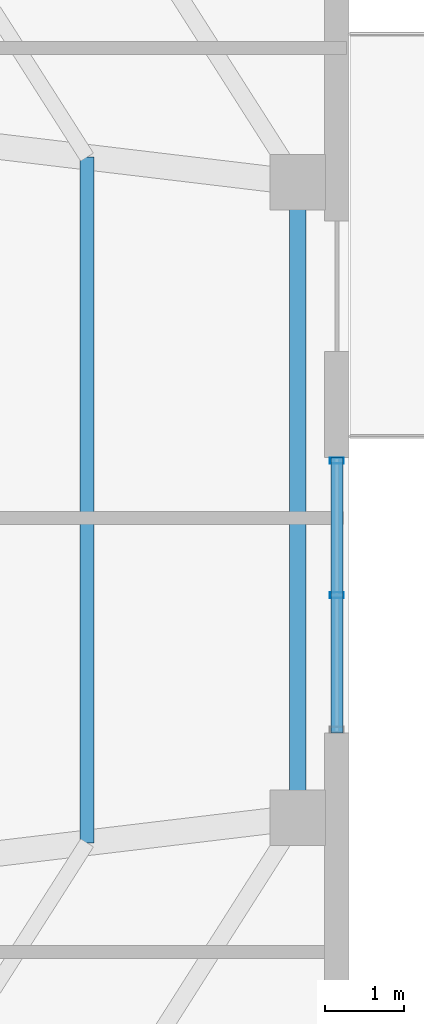
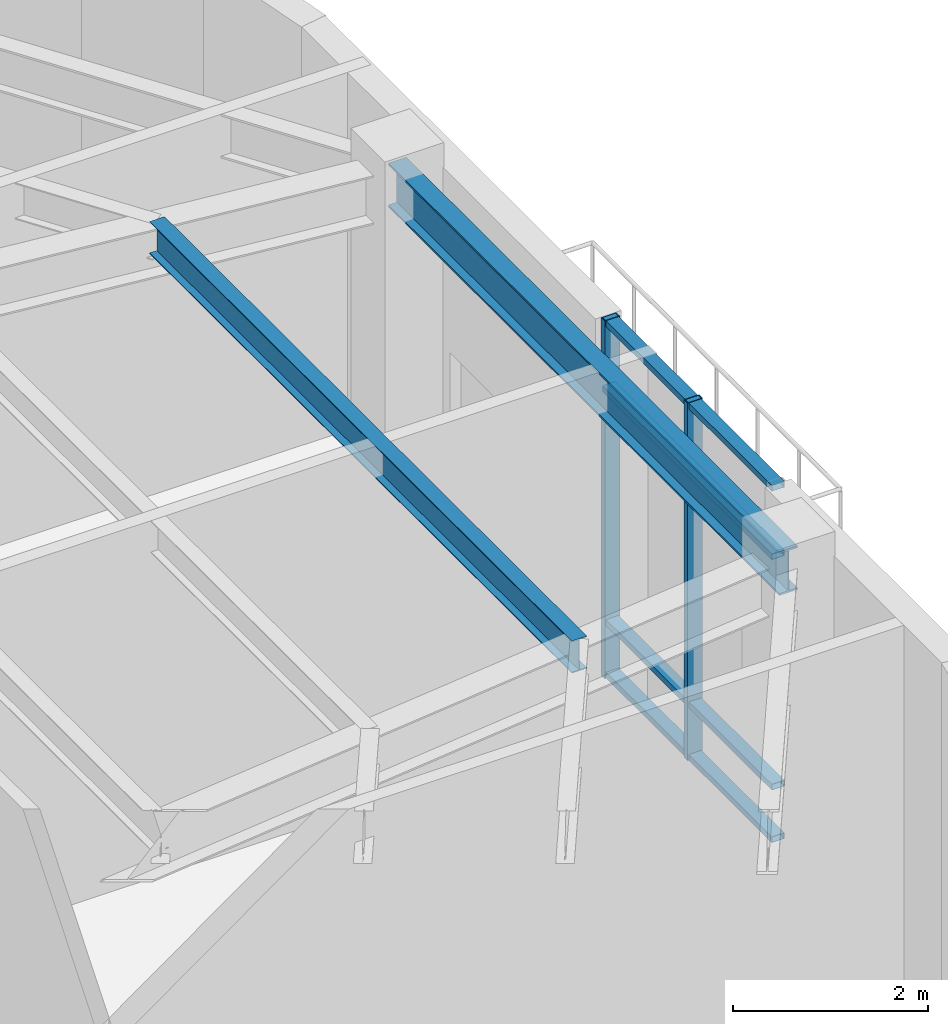
# One storey, part 10 of 19: 6 members, 2 beams, 1 element without a shape of its own.
"""IFC4 building model written with IfcOpenShell, lengths in metres."""

from ifc_helpers import new_model, si_unit, direction, frame, origin, origin_2d, place, context, subcontext, project, spatial, hollow_rectangle, i_section, extrude, material, layer, layer_set, material_profile, profile_set, type_object, element, aggregate, save


model = new_model("IFC4")

# Units and contexts
model_context = context("Model", 3, precision=1e-05, world=origin(), true_north=direction((0.0, 1.0)))
body_context = subcontext(model_context, "Body", "Model", "MODEL_VIEW")
ifc_project = project(units=[si_unit("LENGTHUNIT", "METRE"), si_unit("AREAUNIT", "SQUARE_METRE"), si_unit("VOLUMEUNIT", "CUBIC_METRE"), si_unit("PLANEANGLEUNIT", "RADIAN"), si_unit("MASSUNIT", "GRAM", prefix="KILO"), si_unit("THERMODYNAMICTEMPERATUREUNIT", "KELVIN"), si_unit("POWERUNIT", "WATT")], contexts=[model_context])

# Site, building, storey
site_placement = place(None, origin())
site = spatial("IfcSite", under=ifc_project, at=site_placement, CompositionType="ELEMENT")
building_placement = place(site_placement, origin())
building = spatial("IfcBuilding", under=site, at=building_placement, Name="Skarre Station Tower", CompositionType="ELEMENT")
storey_placement = place(building_placement, frame((0.0, 0.0, 275.10009765625)))
storey = spatial("IfcBuildingStorey", under=building, at=storey_placement, Name="L75", CompositionType="ELEMENT", Elevation=275.10009765625)

# Curtain wall, members
ifc_material_1 = material(Name="Thermally Broken Bronze-Anodized Aluminium & Triple Low-E Glass", Category="aluminium")
ifc_layer = layer(ifc_material_1, 0.219970703125, Name="Thermally Broken Bronze-Anodized Aluminium & Triple Low-E Glass")
ifc_layer_set = layer_set([ifc_layer], Name="Thermally Broken Bronze-Anodized Aluminium & Triple Low-E Glass")
curtain_wall_type = type_object("IfcCurtainWallType", Name="Observation Deck Panorama Unitised Curtain Wall", PredefinedType="NOTDEFINED", material=ifc_layer_set)
curtain_wall_placement = place(storey_placement, origin())
curtain_wall = element("IfcCurtainWall", 1, at=curtain_wall_placement, inside=storey, type_object=curtain_wall_type, Name="L75 Facet 5 Observatory Curtain Wall", PredefinedType="NOTDEFINED")
ifc_material_2 = material(Name="Anodized Aluminium 6063-T6", Category="aluminium")
ifc_material_profile_1 = material_profile(ifc_material_2, hollow_rectangle(XDim=0.074951171875, YDim=0.14990234375, WallThickness=0.00390625, at=origin_2d()), Name="Anodized Aluminium 6063-T6")
ifc_profile_set_1 = profile_set([ifc_material_profile_1], Name="Anodized Aluminium 6063-T6")
member_type_1 = type_object("IfcMemberType", Name="Curtain-Wall Secondary Transom 150x75", PredefinedType="USERDEFINED", material=ifc_profile_set_1)
member_1_placement = place(storey_placement, frame((51.05810546875, 24.535888671875, 0.039794921875), z_axis=(0.0, -1.0, 0.0), x_axis=(0.0, 0.0, 1.0)))
member_1 = element("IfcMember", 2, at=member_1_placement, type_object=member_type_1, Name="L75 Facet 5 Observatory Curtain Wall Transom 1", ObjectType="TRANSOM", PredefinedType="USERDEFINED", context=body_context, shape_type="SweptSolid", body=[
    extrude(hollow_rectangle(XDim=0.074951171875, YDim=0.14990234375, WallThickness=0.00390625, at=origin_2d()), origin(), (0.0, 0.0, 1.0), 3.48486328125),
])
member_2_placement = place(storey_placement, frame((51.05810546875, 24.535888671875, 0.699951171875), z_axis=(0.0, -1.0, 0.0), x_axis=(0.0, 0.0, 1.0)))
member_2 = element("IfcMember", 3, at=member_2_placement, type_object=member_type_1, Name="L75 Facet 5 Observatory Curtain Wall Transom 2", ObjectType="TRANSOM", PredefinedType="USERDEFINED", context=body_context, shape_type="SweptSolid", body=[
    extrude(hollow_rectangle(XDim=0.074951171875, YDim=0.14990234375, WallThickness=0.00390625, at=origin_2d()), origin(), (0.0, 0.0, 1.0), 3.48486328125),
])
member_3_placement = place(storey_placement, frame((51.05810546875, 24.535888671875, 3.58984375), z_axis=(0.0, -1.0, 0.0), x_axis=(0.0, 0.0, 1.0)))
member_3 = element("IfcMember", 4, at=member_3_placement, type_object=member_type_1, Name="L75 Facet 5 Observatory Curtain Wall Transom 3", ObjectType="TRANSOM", PredefinedType="USERDEFINED", context=body_context, shape_type="SweptSolid", body=[
    extrude(hollow_rectangle(XDim=0.074951171875, YDim=0.14990234375, WallThickness=0.00390625, at=origin_2d()), origin(), (0.0, 0.0, 1.0), 3.48486328125),
])
member_4_placement = place(storey_placement, frame((51.05810546875, 24.535888671875, 4.449951171875), z_axis=(0.0, -1.0, 0.0), x_axis=(0.0, 0.0, 1.0)))
member_4 = element("IfcMember", 5, at=member_4_placement, type_object=member_type_1, Name="L75 Facet 5 Observatory Curtain Wall Transom 4", ObjectType="TRANSOM", PredefinedType="USERDEFINED", context=body_context, shape_type="SweptSolid", body=[
    extrude(hollow_rectangle(XDim=0.074951171875, YDim=0.14990234375, WallThickness=0.00390625, at=origin_2d()), origin(), (0.0, 0.0, 1.0), 3.48486328125),
])
ifc_material_profile_2 = material_profile(ifc_material_2, hollow_rectangle(XDim=0.074951171875, YDim=0.179931640625, WallThickness=0.00390625, at=origin_2d()), Name="Anodized Aluminium 6063-T6")
ifc_profile_set_2 = profile_set([ifc_material_profile_2], Name="Anodized Aluminium 6063-T6")
member_type_2 = type_object("IfcMemberType", Name="Curtain-Wall Unitised Tower Mullion 180x75", PredefinedType="MULLION", material=ifc_profile_set_2)
member_5_placement = place(storey_placement, frame((51.05810546875, 24.49609375, 0.0), z_axis=(0.0, 0.0, 1.0), x_axis=(0.0, -1.0, 0.0)))
member_5 = element("IfcMember", 6, at=member_5_placement, type_object=member_type_2, Name="L75 Facet 5 Observatory Curtain Wall Mullion 1", PredefinedType="MULLION", context=body_context, shape_type="SweptSolid", body=[
    extrude(hollow_rectangle(XDim=0.074951171875, YDim=0.179931640625, WallThickness=0.00390625, at=origin_2d()), origin(), (0.0, 0.0, 1.0), 4.489990234375),
])
member_6_placement = place(storey_placement, frame((51.05810546875, 22.7939453125, 0.0), z_axis=(0.0, 0.0, 1.0), x_axis=(0.0, -1.0, 0.0)))
member_6 = element("IfcMember", 7, at=member_6_placement, type_object=member_type_2, Name="L75 Facet 5 Observatory Curtain Wall Mullion 2", PredefinedType="MULLION", context=body_context, shape_type="SweptSolid", body=[
    extrude(hollow_rectangle(XDim=0.074951171875, YDim=0.179931640625, WallThickness=0.00390625, at=origin_2d()), origin(), (0.0, 0.0, 1.0), 4.489990234375),
])
aggregate(curtain_wall, [member_5, member_6, member_1, member_2, member_3, member_4])

# Beams
ifc_material_3 = material(Name="Steel ASTM A992 Grade 50", Category="steel")
ifc_material_profile_3 = material_profile(ifc_material_3, i_section(OverallWidth=0.177978515625, OverallDepth=0.403076171875, WebThickness=0.008056640625, FlangeThickness=0.010986328125, at=origin_2d()), Name="Steel ASTM A992 Grade 50")
ifc_profile_set_3 = profile_set([ifc_material_profile_3], Name="Steel ASTM A992 Grade 50")
beam_type_1 = type_object("IfcBeamType", Name="Steel Joist W16X36", PredefinedType="JOIST", material=ifc_profile_set_3)
beam_1_placement = place(storey_placement, frame((47.89599609375, 19.659912109375, 4.287841796875), z_axis=(0.0, 1.0, 0.0), x_axis=(-1.0, 0.0, 0.0)))
element("IfcBeam", 8, at=beam_1_placement, inside=storey, type_object=beam_type_1, Name="L75 Auxiliary Composite Joist 23", PredefinedType="JOIST", context=body_context, shape_type="SweptSolid", body=[
    extrude(i_section(OverallWidth=0.177978515625, OverallDepth=0.403076171875, WebThickness=0.008056640625, FlangeThickness=0.010986328125, at=origin_2d()), origin(), (0.0, 0.0, 1.0), 8.68017578125),
])
ifc_material_profile_4 = material_profile(ifc_material_3, i_section(OverallWidth=0.214111328125, OverallDepth=0.549072265625, WebThickness=0.014892578125, FlangeThickness=0.02392578125, at=origin_2d()), Name="Steel ASTM A992 Grade 50")
ifc_profile_set_4 = profile_set([ifc_material_profile_4], Name="Steel ASTM A992 Grade 50")
beam_type_2 = type_object("IfcBeamType", Name="Steel Spandrel W21X93", PredefinedType="SPANDREL", material=ifc_profile_set_4)
beam_2_placement = place(storey_placement, frame((50.56298828125, 19.97900390625, 4.21484375), z_axis=(0.0, 1.0, 0.0), x_axis=(-1.0, 0.0, 0.0)))
element("IfcBeam", 9, at=beam_2_placement, inside=storey, type_object=beam_type_2, Name="L75 Facet Spandrel Beam 11", PredefinedType="SPANDREL", context=body_context, shape_type="SweptSolid", body=[
    extrude(i_section(OverallWidth=0.214111328125, OverallDepth=0.549072265625, WebThickness=0.014892578125, FlangeThickness=0.02392578125, at=origin_2d()), origin(), (0.0, 0.0, 1.0), 8.0419921875),
])

save(model, "model.ifc")
